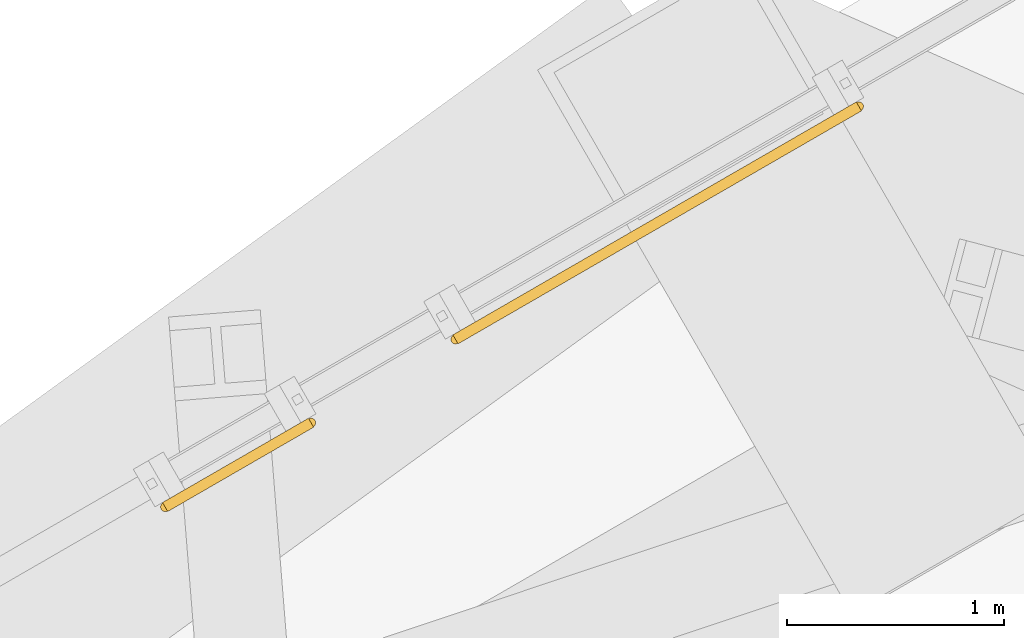
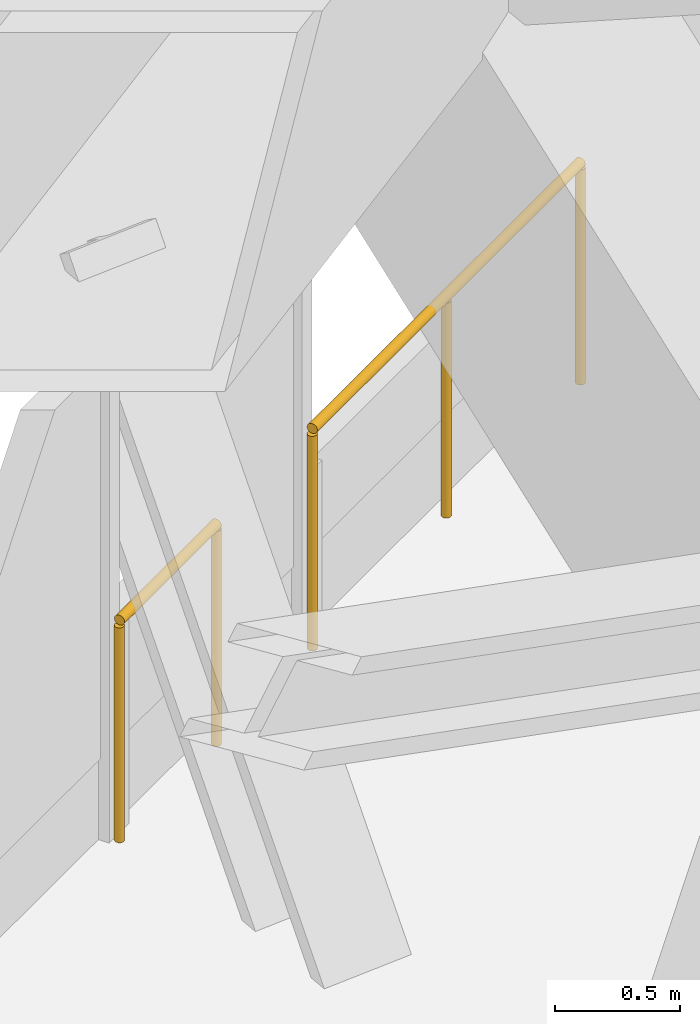
# One storey, part 22 of 23: 2 railings.
"""IFC4 building model written with IfcOpenShell, lengths in metres."""

import ifcopenshell
import ifcopenshell.guid

model = None  # the IFC model being written
_history = None  # IfcOwnerHistory: only IFC2X3 demands one
_inside = {}  # id of a spatial element -> (the spatial element, [elements in it])
_under = {}  # id of a project, library or spatial element -> (it, [spatial elements below it])
_declared = {}  # id of a project -> (the project, [libraries it declares])
_typed = {}  # id of a type object -> (the type object, [elements of that type])
_made_of = {}  # id of a material, layer set ... -> (it, [elements and type objects made of it])


def new_model(schema):
    """Start an empty IFC model of exactly this schema.

    Asked for "IFC4X3", IfcOpenShell would pick the latest addendum, in which some entities
    have other attributes; the version numbers below select the first issue.
    IFC2X3 requires an IfcOwnerHistory on every rooted entity: one is made here for all.
    """
    global model, _history
    if schema == "IFC4X3":
        model = ifcopenshell.file(schema_version=(4, 3, 0, 0))
    else:
        model = ifcopenshell.file(schema=schema)
    _inside.clear()
    _under.clear()
    _declared.clear()
    _typed.clear()
    _made_of.clear()
    _history = None
    if model.schema == "IFC2X3":
        org = make("IfcOrganization", Name="unknown")
        user = make(
            "IfcPersonAndOrganization",
            ThePerson=make("IfcPerson", FamilyName="unknown"),
            TheOrganization=org,
        )
        app = make(
            "IfcApplication",
            ApplicationDeveloper=org,
            Version="unknown",
            ApplicationFullName="unknown",
            ApplicationIdentifier="unknown",
        )
        _history = make(
            "IfcOwnerHistory",
            OwningUser=user,
            OwningApplication=app,
            ChangeAction="ADDED",
            CreationDate=0,
        )
    return model


def make(cls, **values):
    """One entity of the class cls with the attributes given. An attribute that is None is left unset."""
    return model.create_entity(
        cls, **{name: value for name, value in values.items() if value is not None}
    )


def rooted(cls, **values):
    """An entity with a GlobalId (a new one), such as an element, a storey or a relation."""
    return make(cls, GlobalId=ifcopenshell.guid.new(), OwnerHistory=_history, **values)


def si_unit(unit_type, name, prefix=None):
    """IfcSIUnit, for example si_unit("LENGTHUNIT", "METRE", prefix="MILLI")."""
    return make("IfcSIUnit", UnitType=unit_type, Prefix=prefix, Name=name)


def assignment(units):
    """IfcUnitAssignment: the units of a project."""
    return None if units is None else make("IfcUnitAssignment", Units=units)


def point(xyz):
    """IfcCartesianPoint."""
    return None if xyz is None else make("IfcCartesianPoint", Coordinates=xyz)


def direction(xyz):
    """IfcDirection."""
    return None if xyz is None else make("IfcDirection", DirectionRatios=xyz)


def frame(location, z_axis=None, x_axis=None):
    """IfcAxis2Placement3D, a coordinate frame: its origin and axes. An axis left out is left unset."""
    return make(
        "IfcAxis2Placement3D",
        Location=point(location),
        Axis=direction(z_axis),
        RefDirection=direction(x_axis),
    )


def frame_2d(location, x_axis=None):
    """IfcAxis2Placement2D, a coordinate frame in the plane: its origin and x axis."""
    return make(
        "IfcAxis2Placement2D", Location=point(location), RefDirection=direction(x_axis)
    )


def origin():
    """The frame at (0, 0, 0) with its axes left unset."""
    return frame((0.0, 0.0, 0.0))


def origin_2d():
    """The frame at (0, 0) in the plane with its x axis left unset."""
    return frame_2d((0.0, 0.0))


def place(relative_to, where):
    """IfcLocalPlacement: puts the frame where relative to a parent placement (None: the world)."""
    return make(
        "IfcLocalPlacement", PlacementRelTo=relative_to, RelativePlacement=where
    )


def context(
    kind, dimensions, precision=None, world=None, true_north=None, identifier=None
):
    """IfcGeometricRepresentationContext, for example the 3D "Model" context."""
    return make(
        "IfcGeometricRepresentationContext",
        ContextIdentifier=identifier,
        ContextType=kind,
        CoordinateSpaceDimension=dimensions,
        Precision=precision,
        WorldCoordinateSystem=world,
        TrueNorth=true_north,
    )


def subcontext(parent, identifier, kind, view, scale=None):
    """IfcGeometricRepresentationSubContext, for example "Body" below "Model"."""
    return make(
        "IfcGeometricRepresentationSubContext",
        ContextIdentifier=identifier,
        ContextType=kind,
        ParentContext=parent,
        TargetScale=scale,
        TargetView=view,
    )


def project(units=None, contexts=None):
    """IfcProject with its units and contexts."""
    return rooted(
        "IfcProject",
        Name="project",
        RepresentationContexts=contexts,
        UnitsInContext=assignment(units),
    )


def spatial(cls, under=None, at=None, **own):
    """A site, building, storey or space (cls), placed at a placement, below another one or the project."""
    s = rooted(cls, ObjectPlacement=at, **own)
    if under is not None:
        _under.setdefault(under.id(), (under, []))[1].append(s)
    return s


def profile(cls, at=None, kind="AREA", **sizes):
    """A parametric profile (cls). Its sizes go by their IFC names, for example OverallWidth=200.0."""
    return make(cls, ProfileType=kind, Position=at, **sizes)


def circle(**sizes):
    """IfcCircleProfileDef."""
    return profile("IfcCircleProfileDef", **sizes)


def extrude(swept, where, along, depth):
    """IfcExtrudedAreaSolid: the profile swept, set in the frame where, extruded along a direction by depth."""
    return make(
        "IfcExtrudedAreaSolid",
        SweptArea=swept,
        Position=where,
        ExtrudedDirection=direction(along),
        Depth=depth,
    )


def shape(context_of_items, identifier, shape_type, items):
    """IfcShapeRepresentation: the items that make up one representation, for example the "Body"."""
    return make(
        "IfcShapeRepresentation",
        ContextOfItems=context_of_items,
        RepresentationIdentifier=identifier,
        RepresentationType=shape_type,
        Items=items,
    )


def material(Name=None, Category=None):
    """IfcMaterial."""
    return make("IfcMaterial", Name=Name, Category=Category)


def made_of(thing, what):
    """Note that an element or type object is made of a material, layer set ...; save() writes the relation."""
    if what is not None:
        _made_of.setdefault(what.id(), (what, []))[1].append(thing)
    return thing


def type_object(cls, material=None, **own):
    """A type object (cls), such as IfcWallType, which elements share."""
    return made_of(rooted(cls, **own), material)


def element(
    cls,
    number,
    at=None,
    inside=None,
    cuts=None,
    type_object=None,
    material=None,
    context=None,
    identifier="Body",
    shape_type=None,
    held_by="IfcProductDefinitionShape",
    body=None,
    shapes=None,
    **own,
):
    """One element of the class cls, such as IfcWall. Its Tag is "e" and its number.

    at: its placement. inside: the storey or other place that contains it. cuts: it is an
    opening in that element (IfcRelVoidsElement). A single representation is given by context,
    identifier, shape_type and body (its items); several are given by shapes. held_by: the class
    of the entity that holds the representations. save() writes the other relations.
    """
    e = rooted(cls, Tag="e%d" % number, ObjectPlacement=at, **own)
    if body is not None:
        shapes = [shape(context, identifier, shape_type, body)]
    if shapes is not None:
        e.Representation = make(held_by, Representations=shapes)
    if inside is not None:
        _inside.setdefault(inside.id(), (inside, []))[1].append(e)
    if cuts is not None:
        rooted(
            "IfcRelVoidsElement", RelatingBuildingElement=cuts, RelatedOpeningElement=e
        )
    if type_object is not None:
        _typed.setdefault(type_object.id(), (type_object, []))[1].append(e)
    return made_of(e, material)


def aggregate(whole, parts):
    """IfcRelAggregates: a whole, such as a stair, and the parts it consists of."""
    return rooted("IfcRelAggregates", RelatingObject=whole, RelatedObjects=parts)


def save(model, path):
    """Write the relations noted so far, then the file.

    IfcRelAggregates (storeys below a building ...), IfcRelContainedInSpatialStructure (elements
    in a storey), IfcRelDefinesByType, IfcRelAssociatesMaterial and IfcRelDeclares: one each for
    every whole, place, type object, material and project.
    """
    for whole, parts in _under.values():
        aggregate(whole, parts)
    for where, things in _inside.values():
        rooted(
            "IfcRelContainedInSpatialStructure",
            RelatedElements=things,
            RelatingStructure=where,
        )
    for kind, things in _typed.values():
        rooted("IfcRelDefinesByType", RelatedObjects=things, RelatingType=kind)
    for what, things in _made_of.values():
        rooted("IfcRelAssociatesMaterial", RelatedObjects=things, RelatingMaterial=what)
    for by, libraries in _declared.values():
        rooted("IfcRelDeclares", RelatingContext=by, RelatedDefinitions=libraries)
    model.write(path)


model = new_model("IFC4")

# Units and contexts
model_context = context("Model", 3, precision=1e-05, world=origin(), true_north=direction((0.0, 1.0)))
body_context = subcontext(model_context, "Body", "Model", "MODEL_VIEW")
ifc_project = project(units=[si_unit("LENGTHUNIT", "METRE"), si_unit("AREAUNIT", "SQUARE_METRE"), si_unit("VOLUMEUNIT", "CUBIC_METRE"), si_unit("PLANEANGLEUNIT", "RADIAN"), si_unit("MASSUNIT", "GRAM", prefix="KILO")], contexts=[model_context])

# Site, building, storey
site_placement = place(None, origin())
site = spatial("IfcSite", under=ifc_project, at=site_placement, CompositionType="ELEMENT")
building_placement = place(site_placement, origin())
building = spatial("IfcBuilding", under=site, at=building_placement, Name="Triune Harvest Tower", CompositionType="ELEMENT")
storey_placement = place(building_placement, frame((0.0, 0.0, 54.699951171875)))
storey = spatial("IfcBuildingStorey", under=building, at=storey_placement, Name="L12", CompositionType="ELEMENT", Elevation=54.699951171875)

# Railings
ifc_material = material(Name="Glass", Category="glass")
railing_type = type_object("IfcRailingType", Name="GD-3 facade guard 1100", PredefinedType="GUARDRAIL", material=ifc_material)
railing_1_placement = place(storey_placement, frame((9.41162109375, 32.277587890625, 0.0)))
element("IfcRailing", 1, at=railing_1_placement, inside=storey, type_object=railing_type, Name="Facade guard B1-F3 L12.1.1", PredefinedType="GUARDRAIL", context=body_context, shape_type="SweptSolid", body=[
    extrude(circle(Radius=0.02392578125, at=origin_2d()), frame((0.0, 0.0, 1.076171875), z_axis=(-0.866011555249, -0.500023985599, 0.0), x_axis=(0.500023985599, -0.866011555249, 0.0)), (0.0, 0.0, 1.0), 2.1494140625),
    extrude(circle(Radius=0.02099609375, at=origin_2d()), origin(), (0.0, 0.0, 1.0), 1.052001953125),
    extrude(circle(Radius=0.02099609375, at=origin_2d()), frame((-0.9306640625, -0.537353515625, 0.0)), (0.0, 0.0, 1.0), 1.052001953125),
    extrude(circle(Radius=0.02099609375, at=origin_2d()), frame((-1.861328125, -1.07470703125, 0.0)), (0.0, 0.0, 1.0), 1.052001953125),
])
railing_2_placement = place(storey_placement, frame((6.8837890625, 30.818115234375, 0.0)))
element("IfcRailing", 2, at=railing_2_placement, inside=storey, type_object=railing_type, Name="Facade guard B1-F3 L12.1.2", PredefinedType="GUARDRAIL", context=body_context, shape_type="SweptSolid", body=[
    extrude(circle(Radius=0.02392578125, at=origin_2d()), frame((0.0, 0.0, 1.076171875), z_axis=(-0.865934578108, -0.500157281699, 0.0), x_axis=(0.500157281699, -0.865934578108, 0.0)), (0.0, 0.0, 1.0), 0.777587890625),
    extrude(circle(Radius=0.02099609375, at=origin_2d()), origin(), (0.0, 0.0, 1.0), 1.052001953125),
    extrude(circle(Radius=0.02099609375, at=origin_2d()), frame((-0.67333984375, -0.388916015625, 0.0)), (0.0, 0.0, 1.0), 1.052001953125),
])

save(model, "model.ifc")
